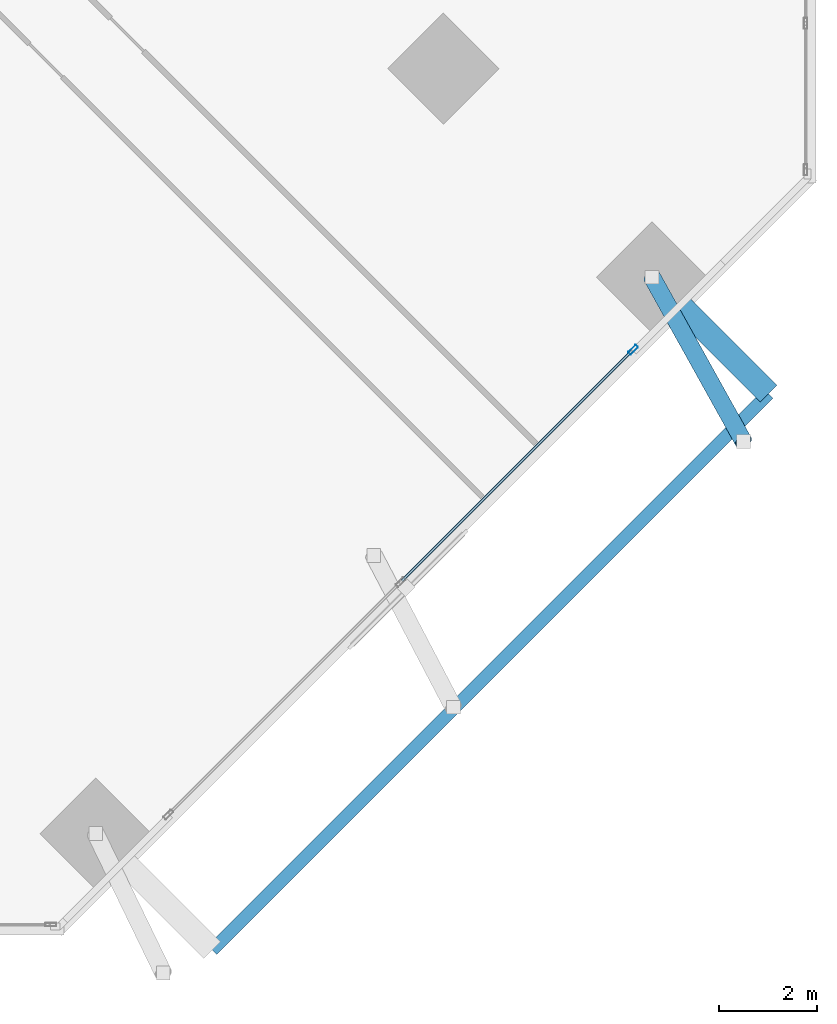
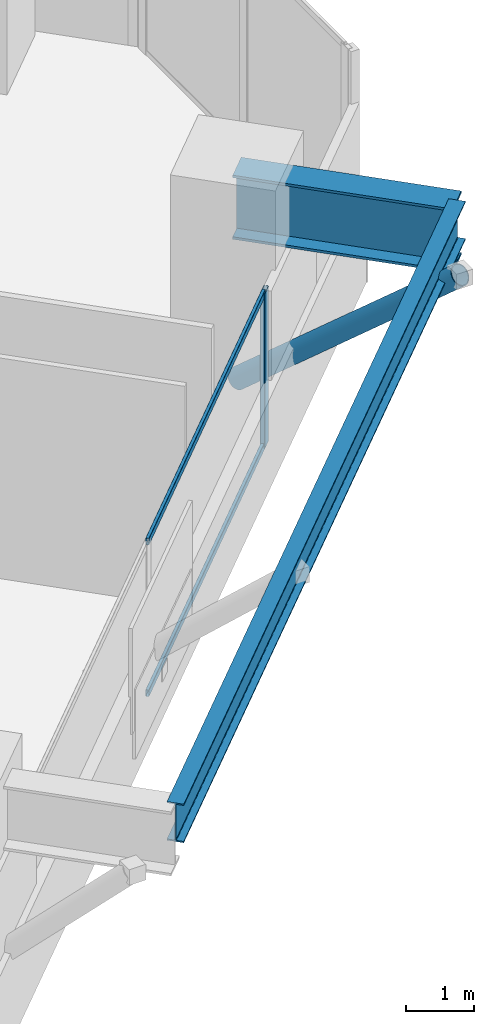
# One storey, part 6 of 17: 4 members, 2 beams, 1 element without a shape of its own.
"""IFC4 building model written with IfcOpenShell, lengths in metres."""

from ifc_helpers import new_model, si_unit, direction, frame, origin, origin_2d, place, context, subcontext, project, spatial, hollow_rectangle, hollow_circle, i_section, extrude, source, transform, mapped, material, material_profile, profile_set, type_object, element, aggregate, save


model = new_model("IFC4")

# Units and contexts
model_context = context("Model", 3, precision=1e-05, world=origin(), true_north=direction((0.0, 1.0)))
body_context = subcontext(model_context, "Body", "Model", "MODEL_VIEW")
ifc_project = project(units=[si_unit("LENGTHUNIT", "METRE"), si_unit("AREAUNIT", "SQUARE_METRE"), si_unit("VOLUMEUNIT", "CUBIC_METRE"), si_unit("PLANEANGLEUNIT", "RADIAN"), si_unit("MASSUNIT", "GRAM", prefix="KILO")], contexts=[model_context])

# Site, building, storey
site_placement = place(None, origin())
site = spatial("IfcSite", under=ifc_project, at=site_placement, CompositionType="ELEMENT")
building_placement = place(site_placement, origin())
building = spatial("IfcBuilding", under=site, at=building_placement, Name="Torre Montelarca", CompositionType="ELEMENT")
storey_placement = place(building_placement, frame((0.0, 0.0, 250.0)))
storey = spatial("IfcBuildingStorey", under=building, at=storey_placement, Name="L56", CompositionType="ELEMENT", Elevation=250.0)

# Member
ifc_material_1 = material(Name="Steel ASTM A500 Grade C", Category="steel")
ifc_material_profile_1 = material_profile(ifc_material_1, hollow_circle(Radius=0.177734375, WallThickness=0.015869140625, at=origin_2d()), Name="HSS355.6X15.9", Category="steel")
ifc_profile_set_1 = profile_set([ifc_material_profile_1], Name="Steel ASTM A500 Grade C")
member_type_1 = type_object("IfcMemberType", Name="MB-BR-CHS356-EXT", PredefinedType="BRACE", material=ifc_profile_set_1)
shared_shape_1 = source(origin(), body_context, "Body", "SweptSolid", [
    extrude(hollow_circle(Radius=0.177734375, WallThickness=0.015869140625, at=origin_2d()), origin(), (0.0, 0.0, 1.0), 5.0078125),
])
member_1_placement = place(storey_placement, frame((41.652587890625, 23.1611328125, 0.14990234375), z_axis=(0.371105786696, -0.667034862529, 0.646022435563), x_axis=(0.873861868988, 0.486174283492, 0.0)))
element("IfcMember", 1, at=member_1_placement, inside=storey, type_object=member_type_1, Name="L57 Sliding Tray Exterior Diagonal Raker Strut E3", PredefinedType="BRACE", context=body_context, shape_type="MappedRepresentation", body=[
    mapped(shared_shape_1, transform((0.0, 0.0, 0.0), scale=1.0)),
])

# Beams
ifc_material_2 = material(Name="Steel ASTM A572 Grade 50", Category="steel")
ifc_material_profile_2 = material_profile(ifc_material_2, i_section(OverallWidth=0.47998046875, OverallDepth=1.14990234375, WebThickness=0.02197265625, FlangeThickness=0.044921875, at=origin_2d()), Name="PG1150X480X22X45", Category="steel")
ifc_profile_set_2 = profile_set([ifc_material_profile_2], Name="Steel ASTM A572 Grade 50")
beam_type_1 = type_object("IfcBeamType", Name="BM-CG-PG1400-EXT", PredefinedType="USERDEFINED", material=ifc_profile_set_2)
shared_shape_2 = source(origin(), body_context, "Body", "SweptSolid", [
    extrude(i_section(OverallWidth=0.47998046875, OverallDepth=1.14990234375, WebThickness=0.02197265625, FlangeThickness=0.044921875, at=origin_2d()), origin(), (0.0, 0.0, 1.0), 3.349853515625),
])
beam_1_placement = place(storey_placement, frame((41.652587890625, 23.1611328125, 3.385009765625), z_axis=(0.707143219659, -0.707070340836, 0.0), x_axis=(0.707070340836, 0.707143219659, 0.0)))
element("IfcBeam", 2, at=beam_1_placement, inside=storey, type_object=beam_type_1, Name="L56 Sliding Tray Cantilever Girder East Y=40m (FLR)", ObjectType="CANTILEVER GIRDER", PredefinedType="USERDEFINED", context=body_context, shape_type="MappedRepresentation", body=[
    mapped(shared_shape_2, transform((0.0, 0.0, 0.0), scale=1.0)),
])
ifc_material_3 = material(Name="Steel ASTM A992 Grade 50", Category="steel")
ifc_material_profile_3 = material_profile(ifc_material_3, i_section(OverallWidth=0.256103515625, OverallDepth=0.693115234375, WebThickness=0.014404296875, FlangeThickness=0.023681640625, FilletRadius=0.01806640625, at=origin_2d()), Name="W690X170", Category="steel")
ifc_profile_set_3 = profile_set([ifc_material_profile_3], Name="Steel ASTM A992 Grade 50")
beam_type_2 = type_object("IfcBeamType", Name="BM-G-W690-EXT", PredefinedType="BEAM", material=ifc_profile_set_3)
shared_shape_3 = source(origin(), body_context, "Body", "SweptSolid", [
    extrude(i_section(OverallWidth=0.256103515625, OverallDepth=0.693115234375, WebThickness=0.014404296875, FlangeThickness=0.023681640625, FilletRadius=0.01806640625, at=origin_2d()), origin(), (0.0, 0.0, 1.0), 16.000244140625),
])
beam_2_placement = place(storey_placement, frame((32.70751953125, 9.478515625, 3.614013671875), z_axis=(0.707106781187, 0.707106781187, 0.0), x_axis=(-0.707106781187, 0.707106781187, 0.0)))
element("IfcBeam", 3, at=beam_2_placement, inside=storey, type_object=beam_type_2, Name="L56 Sliding Tray Edge Girder East 24-40m (FLR)", PredefinedType="BEAM", context=body_context, shape_type="MappedRepresentation", body=[
    mapped(shared_shape_3, transform((0.0, 0.0, 0.0), scale=1.0)),
])

# Curtain wall, members
ifc_material_4 = material(Name="Insulated low-E laminated glass", Category="glass")
curtain_wall_type = type_object("IfcCurtainWallType", Name="CW-SYS-Z3", PredefinedType="USERDEFINED", material=ifc_material_4)
curtain_wall_placement = place(storey_placement, origin())
curtain_wall = element("IfcCurtainWall", 4, at=curtain_wall_placement, inside=storey, type_object=curtain_wall_type, Name="L56 Curtain Wall Run CW-T3-L56-E06-B1", ObjectType="UNITISED GLAZING", PredefinedType="USERDEFINED")
ifc_material_5 = material(Name="Anodised aluminium AA 6063-T6", Category="aluminium")
ifc_material_profile_4 = material_profile(ifc_material_5, hollow_rectangle(XDim=0.074951171875, YDim=0.219970703125, WallThickness=0.0048828125, InnerFilletRadius=0.0048828125, OuterFilletRadius=0.010009765625, at=origin_2d()), Name="ALU75X220X5", Category="aluminium")
ifc_profile_set_4 = profile_set([ifc_material_profile_4], Name="Anodised aluminium AA 6063-T6")
member_type_2 = type_object("IfcMemberType", Name="CWM-ALU220", PredefinedType="MULLION", material=ifc_profile_set_4)
shared_shape_4 = source(origin(), body_context, "Body", "SweptSolid", [
    extrude(hollow_rectangle(XDim=0.074951171875, YDim=0.219970703125, WallThickness=0.0048828125, InnerFilletRadius=0.0048828125, OuterFilletRadius=0.010009765625, at=origin_2d()), origin(), (0.0, 0.0, 1.0), 2.77490234375),
])
member_2_placement = place(storey_placement, frame((41.265380859375, 21.68505859375, 0.0), z_axis=(0.0, 0.0, 1.0), x_axis=(-0.707106781187, 0.707106781187, 0.0)))
member_2 = element("IfcMember", 5, at=member_2_placement, type_object=member_type_2, Name="CW mullion 3", PredefinedType="MULLION", context=body_context, shape_type="MappedRepresentation", body=[
    mapped(shared_shape_4, transform((0.0, 0.0, 0.0), scale=1.0)),
])
ifc_material_profile_5 = material_profile(ifc_material_5, hollow_rectangle(XDim=0.054931640625, YDim=0.1201171875, WallThickness=0.00341796875, InnerFilletRadius=0.00341796875, OuterFilletRadius=0.007080078125, at=origin_2d()), Name="ALU55X120X3.5", Category="aluminium")
ifc_profile_set_5 = profile_set([ifc_material_profile_5], Name="Anodised aluminium AA 6063-T6")
member_type_3 = type_object("IfcMemberType", Name="CWT-ALU120", PredefinedType="USERDEFINED", material=ifc_profile_set_5)
shared_shape_5 = source(origin(), body_context, "Body", "SweptSolid", [
    extrude(hollow_rectangle(XDim=0.054931640625, YDim=0.1201171875, WallThickness=0.00341796875, InnerFilletRadius=0.00341796875, OuterFilletRadius=0.007080078125, at=origin_2d()), origin(), (0.0, 0.0, 1.0), 6.607421875),
])
member_3_placement = place(storey_placement, frame((36.566650390625, 16.986328125, 0.027587890625), z_axis=(0.707106781187, 0.707106781187, 0.0), x_axis=(-0.707106781187, 0.707106781187, 0.0)))
member_3 = element("IfcMember", 6, at=member_3_placement, type_object=member_type_3, Name="CW transom 2.1", ObjectType="TRANSOM", PredefinedType="USERDEFINED", context=body_context, shape_type="MappedRepresentation", body=[
    mapped(shared_shape_5, transform((0.0, 0.0, 0.0), scale=1.0)),
])
member_4_placement = place(storey_placement, frame((36.566650390625, 16.986328125, 2.74755859375), z_axis=(0.707106781187, 0.707106781187, 0.0), x_axis=(-0.707106781187, 0.707106781187, 0.0)))
member_4 = element("IfcMember", 7, at=member_4_placement, type_object=member_type_3, Name="CW transom 2.2", ObjectType="TRANSOM", PredefinedType="USERDEFINED", context=body_context, shape_type="MappedRepresentation", body=[
    mapped(shared_shape_5, transform((0.0, 0.0, 0.0), scale=1.0)),
])
aggregate(curtain_wall, [member_2, member_3, member_4])

save(model, "model.ifc")
